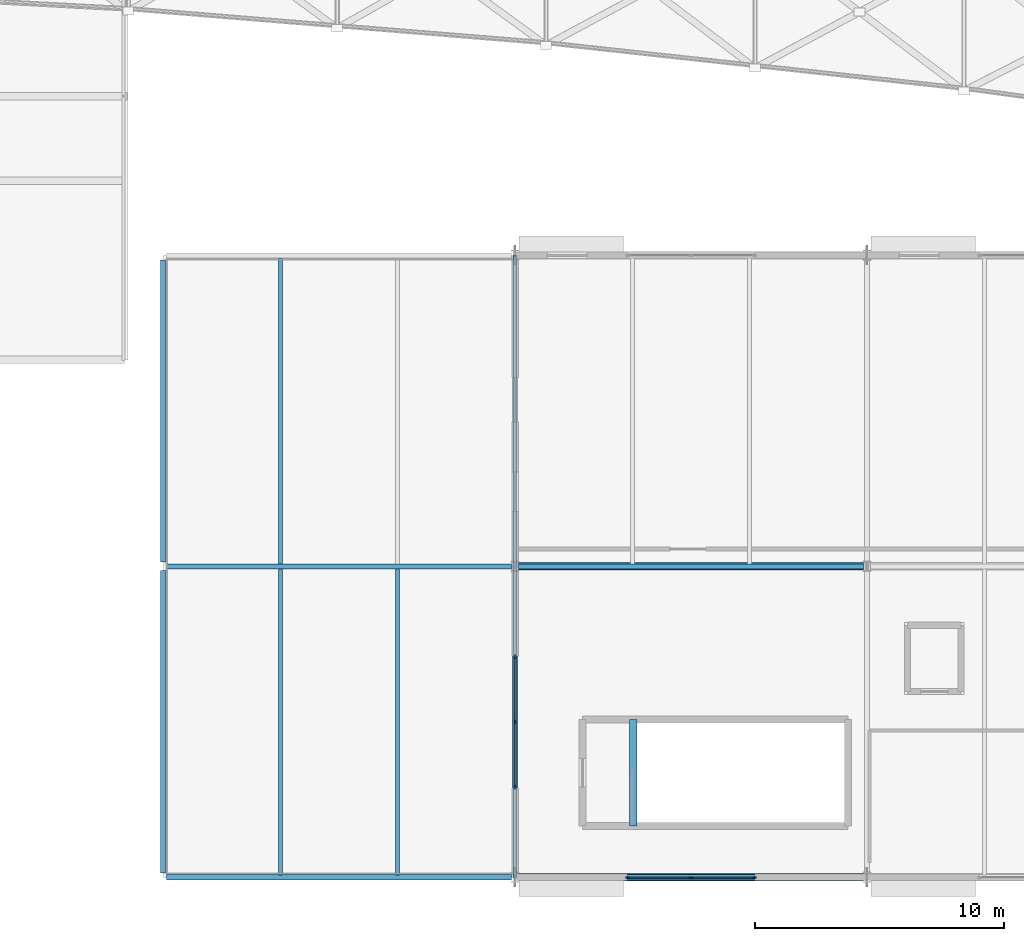
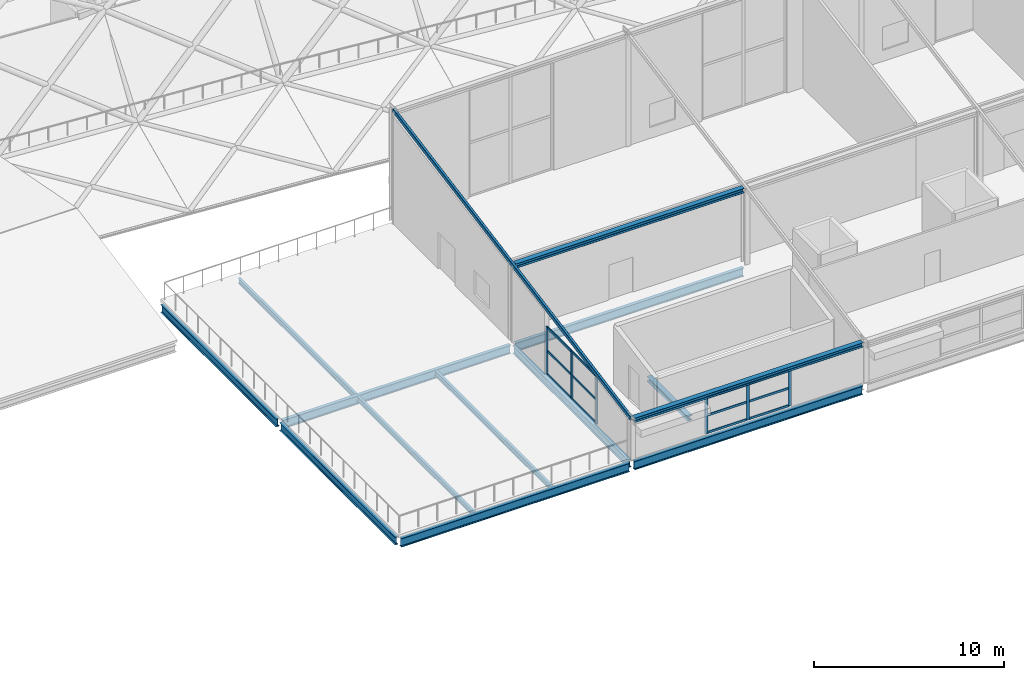
# One storey, part 46 of 100: 19 members, 13 beams, 2 elements without a shape of their own.
"""IFC4 building model written with IfcOpenShell, lengths in metres."""

from ifc_helpers import new_model, si_unit, direction, frame, origin, origin_2d, place, context, subcontext, project, spatial, rectangle, hollow_rectangle, i_section, extrude, material, material_profile, profile_set, type_object, element, aggregate, save


model = new_model("IFC4")

# Units and contexts
model_context = context("Model", 3, precision=1e-05, world=origin(), true_north=direction((0.0, 1.0)))
body_context = subcontext(model_context, "Body", "Model", "MODEL_VIEW")
ifc_project = project(units=[si_unit("LENGTHUNIT", "METRE"), si_unit("AREAUNIT", "SQUARE_METRE"), si_unit("VOLUMEUNIT", "CUBIC_METRE"), si_unit("PLANEANGLEUNIT", "RADIAN"), si_unit("MASSUNIT", "GRAM", prefix="KILO")], contexts=[model_context])

# Site, building, storey
site_placement = place(None, origin())
site = spatial("IfcSite", under=ifc_project, at=site_placement, CompositionType="ELEMENT")
building_placement = place(site_placement, origin())
building = spatial("IfcBuilding", under=site, at=building_placement, Name="Kimbaza Rail Terminus", CompositionType="ELEMENT")
storey_placement = place(building_placement, frame((0.0, 0.0, 10.800048828125)))
storey = spatial("IfcBuildingStorey", under=building, at=storey_placement, Name="L02", CompositionType="ELEMENT", Elevation=10.800048828125)

# Curtain wall, members
ifc_material_1 = material(Name="Anodised aluminium framing and solar low-E glazing", Category="aluminium")
curtain_wall_type = type_object("IfcCurtainWallType", Name="ARC-CW-PV1", PredefinedType="USERDEFINED", material=ifc_material_1)
curtain_wall_1_placement = place(storey_placement, origin())
curtain_wall_1 = element("IfcCurtainWall", 1, at=curtain_wall_1_placement, inside=storey, type_object=curtain_wall_type, Name="Pavilion S Curtain Wall L02.1", ObjectType="STICK CURTAIN WALL", PredefinedType="USERDEFINED")
ifc_material_2 = material(Name="Anodised architectural aluminium", Category="aluminium")
ifc_material_profile_1 = material_profile(ifc_material_2, rectangle(XDim=0.06494140625, YDim=0.175048828125, at=origin_2d()), Name="MULLION 65x175")
ifc_profile_set_1 = profile_set([ifc_material_profile_1], Name="Anodised architectural aluminium")
member_type_1 = type_object("IfcMemberType", Name="ARC-CWM-04", PredefinedType="MULLION", material=ifc_profile_set_1)
member_1_placement = place(storey_placement, frame((176.08251953125, 13.0, 0.0), z_axis=(0.0, 0.0, 1.0), x_axis=(0.0, 1.0, 0.0)))
member_1 = element("IfcMember", 2, at=member_1_placement, type_object=member_type_1, Name="CW-04 mullion 1", PredefinedType="MULLION", context=body_context, shape_type="SweptSolid", body=[
    extrude(rectangle(XDim=0.06494140625, YDim=0.175048828125, at=origin_2d()), origin(), (0.0, 0.0, 1.0), 2.294921875),
])
member_2_placement = place(storey_placement, frame((178.625, 13.0, 0.0), z_axis=(0.0, 0.0, 1.0), x_axis=(0.0, 1.0, 0.0)))
member_2 = element("IfcMember", 3, at=member_2_placement, type_object=member_type_1, Name="CW-04 mullion 2", PredefinedType="MULLION", context=body_context, shape_type="SweptSolid", body=[
    extrude(rectangle(XDim=0.06494140625, YDim=0.175048828125, at=origin_2d()), origin(), (0.0, 0.0, 1.0), 2.294921875),
])
member_3_placement = place(storey_placement, frame((181.16748046875, 13.0, 0.0), z_axis=(0.0, 0.0, 1.0), x_axis=(0.0, 1.0, 0.0)))
member_3 = element("IfcMember", 4, at=member_3_placement, type_object=member_type_1, Name="CW-04 mullion 3", PredefinedType="MULLION", context=body_context, shape_type="SweptSolid", body=[
    extrude(rectangle(XDim=0.06494140625, YDim=0.175048828125, at=origin_2d()), origin(), (0.0, 0.0, 1.0), 2.294921875),
])

curtain_wall_2_placement = place(storey_placement, origin())
curtain_wall_2 = element("IfcCurtainWall", 5, at=curtain_wall_2_placement, inside=storey, type_object=curtain_wall_type, Name="Pavilion W Curtain Wall L02.1", ObjectType="STICK CURTAIN WALL", PredefinedType="USERDEFINED")
member_4_placement = place(storey_placement, frame((171.550048828125, 16.632568359375, 0.0), z_axis=(0.0, 0.0, 1.0), x_axis=(-1.0, 0.0, 0.0)))
member_4 = element("IfcMember", 6, at=member_4_placement, type_object=member_type_1, Name="CW-04 mullion 1", PredefinedType="MULLION", context=body_context, shape_type="SweptSolid", body=[
    extrude(rectangle(XDim=0.06494140625, YDim=0.175048828125, at=origin_2d()), origin(), (0.0, 0.0, 1.0), 3.0673828125),
])
member_5_placement = place(storey_placement, frame((171.550048828125, 19.25, 0.0), z_axis=(0.0, 0.0, 1.0), x_axis=(-1.0, 0.0, 0.0)))
member_5 = element("IfcMember", 7, at=member_5_placement, type_object=member_type_1, Name="CW-04 mullion 2", PredefinedType="MULLION", context=body_context, shape_type="SweptSolid", body=[
    extrude(rectangle(XDim=0.06494140625, YDim=0.175048828125, at=origin_2d()), origin(), (0.0, 0.0, 1.0), 3.0673828125),
])
member_6_placement = place(storey_placement, frame((171.550048828125, 21.867431640625, 0.0), z_axis=(0.0, 0.0, 1.0), x_axis=(-1.0, 0.0, 0.0)))
member_6 = element("IfcMember", 8, at=member_6_placement, type_object=member_type_1, Name="CW-04 mullion 3", PredefinedType="MULLION", context=body_context, shape_type="SweptSolid", body=[
    extrude(rectangle(XDim=0.06494140625, YDim=0.175048828125, at=origin_2d()), origin(), (0.0, 0.0, 1.0), 3.0673828125),
])

# Member
ifc_material_3 = material(Name="Anodised architectural aluminium", Category="aluminium")
ifc_material_profile_2 = material_profile(ifc_material_3, rectangle(XDim=0.06494140625, YDim=0.139892578125, at=origin_2d()), Name="TRANSOM 65x140")
ifc_profile_set_2 = profile_set([ifc_material_profile_2], Name="Anodised architectural aluminium")
member_type_2 = type_object("IfcMemberType", Name="ARC-CWT-04", PredefinedType="USERDEFINED", material=ifc_profile_set_2)
member_7_placement = place(storey_placement, frame((176.114990234375, 13.0, 0.032470703125), z_axis=(1.0, 0.0, 0.0), x_axis=(0.0, 1.0, 0.0)))
member_7 = element("IfcMember", 9, at=member_7_placement, type_object=member_type_2, Name="CW-04 transom 1.1", ObjectType="TRANSOM", PredefinedType="USERDEFINED", context=body_context, shape_type="SweptSolid", body=[
    extrude(rectangle(XDim=0.06494140625, YDim=0.139892578125, at=origin_2d()), origin(), (0.0, 0.0, 1.0), 2.4775390625),
])

member_8_placement = place(storey_placement, frame((176.114990234375, 13.0, 1.1474609375), z_axis=(1.0, 0.0, 0.0), x_axis=(0.0, 1.0, 0.0)))
member_8 = element("IfcMember", 10, at=member_8_placement, type_object=member_type_2, Name="CW-04 transom 1.2", ObjectType="TRANSOM", PredefinedType="USERDEFINED", context=body_context, shape_type="SweptSolid", body=[
    extrude(rectangle(XDim=0.06494140625, YDim=0.139892578125, at=origin_2d()), origin(), (0.0, 0.0, 1.0), 2.4775390625),
])

member_9_placement = place(storey_placement, frame((176.114990234375, 13.0, 2.262451171875), z_axis=(1.0, 0.0, 0.0), x_axis=(0.0, 1.0, 0.0)))
member_9 = element("IfcMember", 11, at=member_9_placement, type_object=member_type_2, Name="CW-04 transom 1.3", ObjectType="TRANSOM", PredefinedType="USERDEFINED", context=body_context, shape_type="SweptSolid", body=[
    extrude(rectangle(XDim=0.06494140625, YDim=0.139892578125, at=origin_2d()), origin(), (0.0, 0.0, 1.0), 2.4775390625),
])

member_10_placement = place(storey_placement, frame((178.657470703125, 13.0, 0.032470703125), z_axis=(1.0, 0.0, 0.0), x_axis=(0.0, 1.0, 0.0)))
member_10 = element("IfcMember", 12, at=member_10_placement, type_object=member_type_2, Name="CW-04 transom 2.1", ObjectType="TRANSOM", PredefinedType="USERDEFINED", context=body_context, shape_type="SweptSolid", body=[
    extrude(rectangle(XDim=0.06494140625, YDim=0.139892578125, at=origin_2d()), origin(), (0.0, 0.0, 1.0), 2.4775390625),
])

member_11_placement = place(storey_placement, frame((178.657470703125, 13.0, 1.1474609375), z_axis=(1.0, 0.0, 0.0), x_axis=(0.0, 1.0, 0.0)))
member_11 = element("IfcMember", 13, at=member_11_placement, type_object=member_type_2, Name="CW-04 transom 2.2", ObjectType="TRANSOM", PredefinedType="USERDEFINED", context=body_context, shape_type="SweptSolid", body=[
    extrude(rectangle(XDim=0.06494140625, YDim=0.139892578125, at=origin_2d()), origin(), (0.0, 0.0, 1.0), 2.4775390625),
])

member_12_placement = place(storey_placement, frame((178.657470703125, 13.0, 2.262451171875), z_axis=(1.0, 0.0, 0.0), x_axis=(0.0, 1.0, 0.0)))
member_12 = element("IfcMember", 14, at=member_12_placement, type_object=member_type_2, Name="CW-04 transom 2.3", ObjectType="TRANSOM", PredefinedType="USERDEFINED", context=body_context, shape_type="SweptSolid", body=[
    extrude(rectangle(XDim=0.06494140625, YDim=0.139892578125, at=origin_2d()), origin(), (0.0, 0.0, 1.0), 2.4775390625),
])

aggregate(curtain_wall_1, [member_1, member_2, member_3, member_7, member_8, member_9, member_10, member_11, member_12])

member_13_placement = place(storey_placement, frame((171.550048828125, 16.6650390625, 0.032470703125), z_axis=(0.0, 1.0, 0.0), x_axis=(-1.0, 0.0, 0.0)))
member_13 = element("IfcMember", 15, at=member_13_placement, type_object=member_type_2, Name="CW-04 transom 1.1", ObjectType="TRANSOM", PredefinedType="USERDEFINED", context=body_context, shape_type="SweptSolid", body=[
    extrude(rectangle(XDim=0.06494140625, YDim=0.139892578125, at=origin_2d()), origin(), (0.0, 0.0, 1.0), 2.552490234375),
])

member_14_placement = place(storey_placement, frame((171.550048828125, 16.6650390625, 1.53369140625), z_axis=(0.0, 1.0, 0.0), x_axis=(-1.0, 0.0, 0.0)))
member_14 = element("IfcMember", 16, at=member_14_placement, type_object=member_type_2, Name="CW-04 transom 1.2", ObjectType="TRANSOM", PredefinedType="USERDEFINED", context=body_context, shape_type="SweptSolid", body=[
    extrude(rectangle(XDim=0.06494140625, YDim=0.139892578125, at=origin_2d()), origin(), (0.0, 0.0, 1.0), 2.552490234375),
])

member_15_placement = place(storey_placement, frame((171.550048828125, 16.6650390625, 3.034912109375), z_axis=(0.0, 1.0, 0.0), x_axis=(-1.0, 0.0, 0.0)))
member_15 = element("IfcMember", 17, at=member_15_placement, type_object=member_type_2, Name="CW-04 transom 1.3", ObjectType="TRANSOM", PredefinedType="USERDEFINED", context=body_context, shape_type="SweptSolid", body=[
    extrude(rectangle(XDim=0.06494140625, YDim=0.139892578125, at=origin_2d()), origin(), (0.0, 0.0, 1.0), 2.552490234375),
])

member_16_placement = place(storey_placement, frame((171.550048828125, 19.282470703125, 0.032470703125), z_axis=(0.0, 1.0, 0.0), x_axis=(-1.0, 0.0, 0.0)))
member_16 = element("IfcMember", 18, at=member_16_placement, type_object=member_type_2, Name="CW-04 transom 2.1", ObjectType="TRANSOM", PredefinedType="USERDEFINED", context=body_context, shape_type="SweptSolid", body=[
    extrude(rectangle(XDim=0.06494140625, YDim=0.139892578125, at=origin_2d()), origin(), (0.0, 0.0, 1.0), 2.552490234375),
])

member_17_placement = place(storey_placement, frame((171.550048828125, 19.282470703125, 1.53369140625), z_axis=(0.0, 1.0, 0.0), x_axis=(-1.0, 0.0, 0.0)))
member_17 = element("IfcMember", 19, at=member_17_placement, type_object=member_type_2, Name="CW-04 transom 2.2", ObjectType="TRANSOM", PredefinedType="USERDEFINED", context=body_context, shape_type="SweptSolid", body=[
    extrude(rectangle(XDim=0.06494140625, YDim=0.139892578125, at=origin_2d()), origin(), (0.0, 0.0, 1.0), 2.552490234375),
])

member_18_placement = place(storey_placement, frame((171.550048828125, 19.282470703125, 3.034912109375), z_axis=(0.0, 1.0, 0.0), x_axis=(-1.0, 0.0, 0.0)))
member_18 = element("IfcMember", 20, at=member_18_placement, type_object=member_type_2, Name="CW-04 transom 2.3", ObjectType="TRANSOM", PredefinedType="USERDEFINED", context=body_context, shape_type="SweptSolid", body=[
    extrude(rectangle(XDim=0.06494140625, YDim=0.139892578125, at=origin_2d()), origin(), (0.0, 0.0, 1.0), 2.552490234375),
])

aggregate(curtain_wall_2, [member_4, member_5, member_6, member_13, member_14, member_15, member_16, member_17, member_18])

# Beams
ifc_material_4 = material(Name="Steel S355", Category="steel")
ifc_material_profile_3 = material_profile(ifc_material_4, i_section(OverallWidth=0.300048828125, OverallDepth=0.2900390625, WebThickness=0.008544921875, FlangeThickness=0.013916015625, FilletRadius=0.027099609375, at=origin_2d()), Name="HEA 300")
ifc_profile_set_3 = profile_set([ifc_material_profile_3], Name="Steel S355")
beam_type_1 = type_object("IfcBeamType", Name="STR-BM-HEA300", PredefinedType="SPANDREL", material=ifc_profile_set_3)
for number, where, z_axis, x_axis, name in (
    (21, (171.696044921875, 13.0, 2.445068359375), (1.0, 0.0, 0.0), (0.0, 1.0, 0.0), "Beam BM-V4RFX-1-0"),
    (22, (171.696044921875, 25.5, 4.77001953125), (1.0, 0.0, 0.0), (0.0, 1.0, 0.0), "Beam BM-V4RFX-1-1"),
):
    element("IfcBeam", number, at=place(storey_placement, frame(where, z_axis=z_axis, x_axis=x_axis)), inside=storey, type_object=beam_type_1, Name=name, PredefinedType="SPANDREL", context=body_context, shape_type="SweptSolid", body=[
        extrude(i_section(OverallWidth=0.300048828125, OverallDepth=0.2900390625, WebThickness=0.008544921875, FlangeThickness=0.013916015625, FilletRadius=0.027099609375, at=origin_2d()), origin(), (0.0, 0.0, 1.0), 13.85791015625),
    ])
beam_1_placement = place(storey_placement, frame((176.300048828125, 15.06005859375, -0.364990234375), z_axis=(0.0, 1.0, 0.0), x_axis=(-1.0, 0.0, 0.0)))
element("IfcBeam", 23, at=beam_1_placement, inside=storey, type_object=beam_type_1, Name="Retail Pavilion West Stair Landing Trimmer Beam L02", PredefinedType="SPANDREL", context=body_context, shape_type="SweptSolid", body=[
    extrude(i_section(OverallWidth=0.300048828125, OverallDepth=0.2900390625, WebThickness=0.008544921875, FlangeThickness=0.013916015625, FilletRadius=0.027099609375, at=origin_2d()), origin(), (0.0, 0.0, 1.0), 4.280029296875),
])
ifc_material_5 = material(Name="Steel S355", Category="steel")
ifc_material_profile_4 = material_profile(ifc_material_5, i_section(OverallWidth=0.159912109375, OverallDepth=0.330078125, WebThickness=0.007568359375, FlangeThickness=0.011474609375, FilletRadius=0.01806640625, at=origin_2d()), Name="IPE 330")
ifc_profile_set_4 = profile_set([ifc_material_profile_4], Name="Steel S355")
beam_type_2 = type_object("IfcBeamType", Name="STR-BM-IPE330", PredefinedType="JOIST", material=ifc_profile_set_4)
for number, where, z_axis, x_axis, name in (
    (24, (162.11669921875, 13.10009765625, -0.385009765625), (0.0, 1.0, 0.0), (-1.0, 0.0, 0.0), "Beam JST-V4-L02-0-1-0"),
    (25, (162.11669921875, 25.60009765625, -0.385009765625), (0.0, 1.0, 0.0), (-1.0, 0.0, 0.0), "Beam JST-V4-L02-0-1-1"),
    (26, (166.833251953125, 13.10009765625, -0.385009765625), (0.0, 1.0, 0.0), (-1.0, 0.0, 0.0), "Beam JST-V4-L02-0-2-0"),
):
    element("IfcBeam", number, at=place(storey_placement, frame(where, z_axis=z_axis, x_axis=x_axis)), inside=storey, type_object=beam_type_2, Name=name, PredefinedType="JOIST", context=body_context, shape_type="SweptSolid", body=[
        extrude(i_section(OverallWidth=0.159912109375, OverallDepth=0.330078125, WebThickness=0.007568359375, FlangeThickness=0.011474609375, FilletRadius=0.01806640625, at=origin_2d()), origin(), (0.0, 0.0, 1.0), 12.2998046875),
    ])
ifc_material_6 = material(Name="Steel S355", Category="steel")
ifc_material_profile_5 = material_profile(ifc_material_6, i_section(OverallWidth=0.199951171875, OverallDepth=0.5, WebThickness=0.01025390625, FlangeThickness=0.01611328125, FilletRadius=0.02099609375, at=origin_2d()), Name="IPE 500")
ifc_profile_set_5 = profile_set([ifc_material_profile_5], Name="Steel S355")
beam_type_3 = type_object("IfcBeamType", Name="STR-BM-IPE500", PredefinedType="BEAM", material=ifc_profile_set_5)
for number, where, z_axis, x_axis, name in (
    (27, (157.39990234375, 13.175048828125, -0.469970703125), (0.0, 1.0, 0.0), (-1.0, 0.0, 0.0), "Beam BM-V4Y-L02-0-0"),
    (28, (157.39990234375, 25.675048828125, -0.469970703125), (0.0, 1.0, 0.0), (-1.0, 0.0, 0.0), "Beam BM-V4Y-L02-0-1"),
    (29, (171.550048828125, 13.175048828125, -0.469970703125), (0.0, 1.0, 0.0), (-1.0, 0.0, 0.0), "Beam BM-V4Y-L02-1-0"),
):
    element("IfcBeam", number, at=place(storey_placement, frame(where, z_axis=z_axis, x_axis=x_axis)), inside=storey, type_object=beam_type_3, Name=name, PredefinedType="BEAM", context=body_context, shape_type="SweptSolid", body=[
        extrude(i_section(OverallWidth=0.199951171875, OverallDepth=0.5, WebThickness=0.01025390625, FlangeThickness=0.01611328125, FilletRadius=0.02099609375, at=origin_2d()), origin(), (0.0, 0.0, 1.0), 12.14990234375),
    ])
ifc_material_7 = material(Name="Steel S355", Category="steel")
ifc_material_profile_6 = material_profile(ifc_material_7, i_section(OverallWidth=0.2099609375, OverallDepth=0.550048828125, WebThickness=0.010986328125, FlangeThickness=0.01708984375, FilletRadius=0.02392578125, at=origin_2d()), Name="IPE 550")
ifc_profile_set_6 = profile_set([ifc_material_profile_6], Name="Steel S355")
beam_type_4 = type_object("IfcBeamType", Name="STR-BM-IPE550", PredefinedType="BEAM", material=ifc_profile_set_6)
beam_2_placement = place(storey_placement, frame((157.5458984375, 13.0, -0.4951171875), z_axis=(1.0, 0.0, 0.0), x_axis=(0.0, 1.0, 0.0)))
element("IfcBeam", 30, at=beam_2_placement, inside=storey, type_object=beam_type_4, Name="Beam BM-V4X-L02-0-0", PredefinedType="BEAM", context=body_context, shape_type="SweptSolid", body=[
    extrude(i_section(OverallWidth=0.2099609375, OverallDepth=0.550048828125, WebThickness=0.010986328125, FlangeThickness=0.01708984375, FilletRadius=0.02392578125, at=origin_2d()), origin(), (0.0, 0.0, 1.0), 13.858154296875),
])
beam_3_placement = place(storey_placement, frame((171.696044921875, 13.0, -0.4951171875), z_axis=(1.0, 0.0, 0.0), x_axis=(0.0, 1.0, 0.0)))
element("IfcBeam", 31, at=beam_3_placement, inside=storey, type_object=beam_type_4, Name="Beam BM-V4X-L02-1-0", PredefinedType="BEAM", context=body_context, shape_type="SweptSolid", body=[
    extrude(i_section(OverallWidth=0.2099609375, OverallDepth=0.550048828125, WebThickness=0.010986328125, FlangeThickness=0.01708984375, FilletRadius=0.02392578125, at=origin_2d()), origin(), (0.0, 0.0, 1.0), 13.85791015625),
])
beam_4_placement = place(storey_placement, frame((157.5458984375, 25.5, -0.4951171875), z_axis=(1.0, 0.0, 0.0), x_axis=(0.0, 1.0, 0.0)))
element("IfcBeam", 32, at=beam_4_placement, inside=storey, type_object=beam_type_4, Name="Beam BM-V4X-L02-0-1", PredefinedType="BEAM", context=body_context, shape_type="SweptSolid", body=[
    extrude(i_section(OverallWidth=0.2099609375, OverallDepth=0.550048828125, WebThickness=0.010986328125, FlangeThickness=0.01708984375, FilletRadius=0.02392578125, at=origin_2d()), origin(), (0.0, 0.0, 1.0), 13.858154296875),
])
beam_5_placement = place(storey_placement, frame((171.696044921875, 25.5, -0.4951171875), z_axis=(1.0, 0.0, 0.0), x_axis=(0.0, 1.0, 0.0)))
element("IfcBeam", 33, at=beam_5_placement, inside=storey, type_object=beam_type_4, Name="Beam BM-V4X-L02-1-1", PredefinedType="BEAM", context=body_context, shape_type="SweptSolid", body=[
    extrude(i_section(OverallWidth=0.2099609375, OverallDepth=0.550048828125, WebThickness=0.010986328125, FlangeThickness=0.01708984375, FilletRadius=0.02392578125, at=origin_2d()), origin(), (0.0, 0.0, 1.0), 13.85791015625),
])

# Member
ifc_material_8 = material(Name="White painted steel S355", Category="steel")
ifc_material_profile_7 = material_profile(ifc_material_8, hollow_rectangle(XDim=0.14990234375, YDim=0.25, WallThickness=0.008056640625, InnerFilletRadius=0.011962890625, OuterFilletRadius=0.02001953125, at=origin_2d()), Name="RHS 250x150x8")
ifc_profile_set_7 = profile_set([ifc_material_profile_7], Name="White painted steel S355")
member_type_3 = type_object("IfcMemberType", Name="STR-MB-RHS250", PredefinedType="STRUT", material=ifc_profile_set_7)
member_19_placement = place(storey_placement, frame((171.550048828125, 13.0, 2.530029296875), z_axis=(0.0, 0.983138961707, 0.182860006491), x_axis=(-1.0, 0.0, 0.0)))
element("IfcMember", 34, at=member_19_placement, inside=storey, type_object=member_type_3, Name="Pavilion Mono-Pitch Rafter 1", PredefinedType="STRUT", context=body_context, shape_type="SweptSolid", body=[
    extrude(hollow_rectangle(XDim=0.14990234375, YDim=0.25, WallThickness=0.008056640625, InnerFilletRadius=0.011962890625, OuterFilletRadius=0.02001953125, at=origin_2d()), origin(), (0.0, 0.0, 1.0), 25.4287109375),
])

save(model, "model.ifc")
